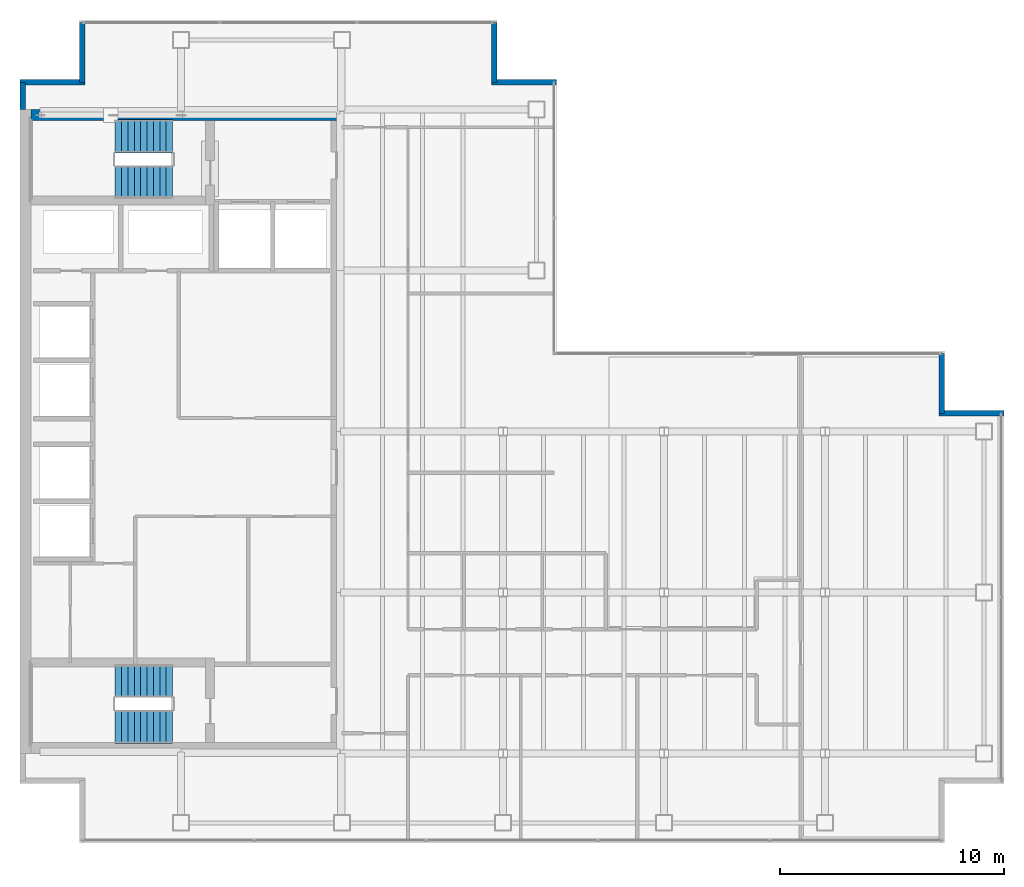
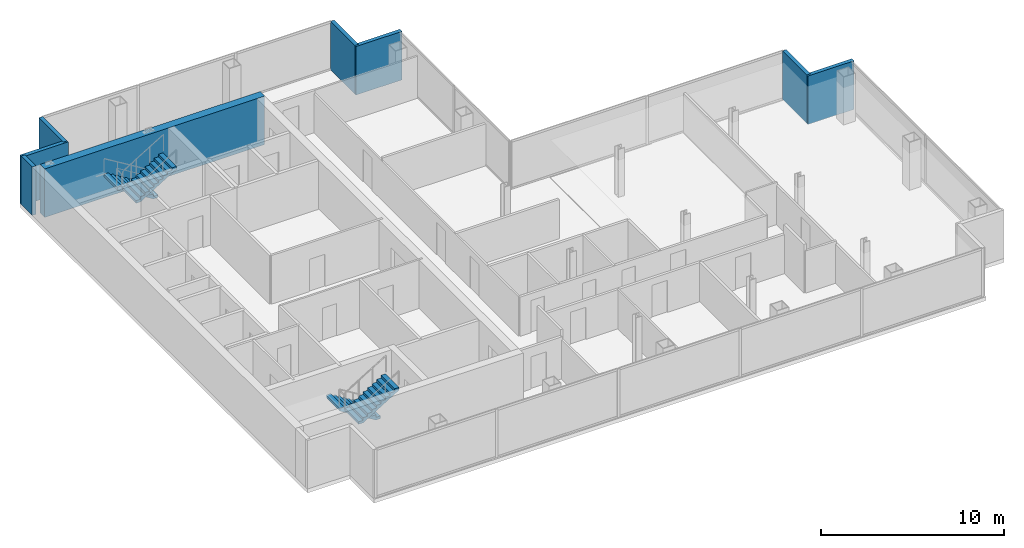
# One storey, part 22 of 23: 8 walls, 4 stair flights, 2 elements without a shape of their own.
"""IFC4 building model written with IfcOpenShell, lengths in metres."""

import ifcopenshell
import ifcopenshell.guid

model = None  # the IFC model being written
_history = None  # IfcOwnerHistory: only IFC2X3 demands one
_inside = {}  # id of a spatial element -> (the spatial element, [elements in it])
_under = {}  # id of a project, library or spatial element -> (it, [spatial elements below it])
_declared = {}  # id of a project -> (the project, [libraries it declares])
_typed = {}  # id of a type object -> (the type object, [elements of that type])
_made_of = {}  # id of a material, layer set ... -> (it, [elements and type objects made of it])


def new_model(schema):
    """Start an empty IFC model of exactly this schema.

    Asked for "IFC4X3", IfcOpenShell would pick the latest addendum, in which some entities
    have other attributes; the version numbers below select the first issue.
    IFC2X3 requires an IfcOwnerHistory on every rooted entity: one is made here for all.
    """
    global model, _history
    if schema == "IFC4X3":
        model = ifcopenshell.file(schema_version=(4, 3, 0, 0))
    else:
        model = ifcopenshell.file(schema=schema)
    _inside.clear()
    _under.clear()
    _declared.clear()
    _typed.clear()
    _made_of.clear()
    _history = None
    if model.schema == "IFC2X3":
        org = make("IfcOrganization", Name="unknown")
        user = make(
            "IfcPersonAndOrganization",
            ThePerson=make("IfcPerson", FamilyName="unknown"),
            TheOrganization=org,
        )
        app = make(
            "IfcApplication",
            ApplicationDeveloper=org,
            Version="unknown",
            ApplicationFullName="unknown",
            ApplicationIdentifier="unknown",
        )
        _history = make(
            "IfcOwnerHistory",
            OwningUser=user,
            OwningApplication=app,
            ChangeAction="ADDED",
            CreationDate=0,
        )
    return model


def make(cls, **values):
    """One entity of the class cls with the attributes given. An attribute that is None is left unset."""
    return model.create_entity(
        cls, **{name: value for name, value in values.items() if value is not None}
    )


def rooted(cls, **values):
    """An entity with a GlobalId (a new one), such as an element, a storey or a relation."""
    return make(cls, GlobalId=ifcopenshell.guid.new(), OwnerHistory=_history, **values)


def si_unit(unit_type, name, prefix=None):
    """IfcSIUnit, for example si_unit("LENGTHUNIT", "METRE", prefix="MILLI")."""
    return make("IfcSIUnit", UnitType=unit_type, Prefix=prefix, Name=name)


def assignment(units):
    """IfcUnitAssignment: the units of a project."""
    return None if units is None else make("IfcUnitAssignment", Units=units)


def point(xyz):
    """IfcCartesianPoint."""
    return None if xyz is None else make("IfcCartesianPoint", Coordinates=xyz)


def direction(xyz):
    """IfcDirection."""
    return None if xyz is None else make("IfcDirection", DirectionRatios=xyz)


def frame(location, z_axis=None, x_axis=None):
    """IfcAxis2Placement3D, a coordinate frame: its origin and axes. An axis left out is left unset."""
    return make(
        "IfcAxis2Placement3D",
        Location=point(location),
        Axis=direction(z_axis),
        RefDirection=direction(x_axis),
    )


def frame_2d(location, x_axis=None):
    """IfcAxis2Placement2D, a coordinate frame in the plane: its origin and x axis."""
    return make(
        "IfcAxis2Placement2D", Location=point(location), RefDirection=direction(x_axis)
    )


def origin():
    """The frame at (0, 0, 0) with its axes left unset."""
    return frame((0.0, 0.0, 0.0))


def place(relative_to, where):
    """IfcLocalPlacement: puts the frame where relative to a parent placement (None: the world)."""
    return make(
        "IfcLocalPlacement", PlacementRelTo=relative_to, RelativePlacement=where
    )


def context(
    kind, dimensions, precision=None, world=None, true_north=None, identifier=None
):
    """IfcGeometricRepresentationContext, for example the 3D "Model" context."""
    return make(
        "IfcGeometricRepresentationContext",
        ContextIdentifier=identifier,
        ContextType=kind,
        CoordinateSpaceDimension=dimensions,
        Precision=precision,
        WorldCoordinateSystem=world,
        TrueNorth=true_north,
    )


def subcontext(parent, identifier, kind, view, scale=None):
    """IfcGeometricRepresentationSubContext, for example "Body" below "Model"."""
    return make(
        "IfcGeometricRepresentationSubContext",
        ContextIdentifier=identifier,
        ContextType=kind,
        ParentContext=parent,
        TargetScale=scale,
        TargetView=view,
    )


def project(units=None, contexts=None):
    """IfcProject with its units and contexts."""
    return rooted(
        "IfcProject",
        Name="project",
        RepresentationContexts=contexts,
        UnitsInContext=assignment(units),
    )


def spatial(cls, under=None, at=None, **own):
    """A site, building, storey or space (cls), placed at a placement, below another one or the project."""
    s = rooted(cls, ObjectPlacement=at, **own)
    if under is not None:
        _under.setdefault(under.id(), (under, []))[1].append(s)
    return s


def polyline(points):
    """IfcPolyline through the points."""
    return make("IfcPolyline", Points=[point(p) for p in points])


def profile(cls, at=None, kind="AREA", **sizes):
    """A parametric profile (cls). Its sizes go by their IFC names, for example OverallWidth=200.0."""
    return make(cls, ProfileType=kind, Position=at, **sizes)


def rectangle(**sizes):
    """IfcRectangleProfileDef."""
    return profile("IfcRectangleProfileDef", **sizes)


def outline(outer, holes=None, kind="AREA"):
    """IfcArbitraryClosedProfileDef: a profile drawn as a closed curve; with holes, ...WithVoids."""
    if holes is None:
        return make("IfcArbitraryClosedProfileDef", ProfileType=kind, OuterCurve=outer)
    return make(
        "IfcArbitraryProfileDefWithVoids",
        ProfileType=kind,
        OuterCurve=outer,
        InnerCurves=holes,
    )


def extrude(swept, where, along, depth):
    """IfcExtrudedAreaSolid: the profile swept, set in the frame where, extruded along a direction by depth."""
    return make(
        "IfcExtrudedAreaSolid",
        SweptArea=swept,
        Position=where,
        ExtrudedDirection=direction(along),
        Depth=depth,
    )


def shape(context_of_items, identifier, shape_type, items):
    """IfcShapeRepresentation: the items that make up one representation, for example the "Body"."""
    return make(
        "IfcShapeRepresentation",
        ContextOfItems=context_of_items,
        RepresentationIdentifier=identifier,
        RepresentationType=shape_type,
        Items=items,
    )


def material(Name=None, Category=None):
    """IfcMaterial."""
    return make("IfcMaterial", Name=Name, Category=Category)


def layer(
    of_material, thickness, ventilated=None, Name=None, Category=None, Priority=None
):
    """IfcMaterialLayer: one layer of a wall or slab, of a material (None: an air gap)."""
    return make(
        "IfcMaterialLayer",
        Material=of_material,
        LayerThickness=thickness,
        IsVentilated=ventilated,
        Name=Name,
        Category=Category,
        Priority=Priority,
    )


def layer_set(layers, Name=None):
    """IfcMaterialLayerSet."""
    return make("IfcMaterialLayerSet", MaterialLayers=layers, LayerSetName=Name)


def made_of(thing, what):
    """Note that an element or type object is made of a material, layer set ...; save() writes the relation."""
    if what is not None:
        _made_of.setdefault(what.id(), (what, []))[1].append(thing)
    return thing


def type_object(cls, material=None, **own):
    """A type object (cls), such as IfcWallType, which elements share."""
    return made_of(rooted(cls, **own), material)


def element(
    cls,
    number,
    at=None,
    inside=None,
    cuts=None,
    type_object=None,
    material=None,
    context=None,
    identifier="Body",
    shape_type=None,
    held_by="IfcProductDefinitionShape",
    body=None,
    shapes=None,
    **own,
):
    """One element of the class cls, such as IfcWall. Its Tag is "e" and its number.

    at: its placement. inside: the storey or other place that contains it. cuts: it is an
    opening in that element (IfcRelVoidsElement). A single representation is given by context,
    identifier, shape_type and body (its items); several are given by shapes. held_by: the class
    of the entity that holds the representations. save() writes the other relations.
    """
    e = rooted(cls, Tag="e%d" % number, ObjectPlacement=at, **own)
    if body is not None:
        shapes = [shape(context, identifier, shape_type, body)]
    if shapes is not None:
        e.Representation = make(held_by, Representations=shapes)
    if inside is not None:
        _inside.setdefault(inside.id(), (inside, []))[1].append(e)
    if cuts is not None:
        rooted(
            "IfcRelVoidsElement", RelatingBuildingElement=cuts, RelatedOpeningElement=e
        )
    if type_object is not None:
        _typed.setdefault(type_object.id(), (type_object, []))[1].append(e)
    return made_of(e, material)


def aggregate(whole, parts):
    """IfcRelAggregates: a whole, such as a stair, and the parts it consists of."""
    return rooted("IfcRelAggregates", RelatingObject=whole, RelatedObjects=parts)


def save(model, path):
    """Write the relations noted so far, then the file.

    IfcRelAggregates (storeys below a building ...), IfcRelContainedInSpatialStructure (elements
    in a storey), IfcRelDefinesByType, IfcRelAssociatesMaterial and IfcRelDeclares: one each for
    every whole, place, type object, material and project.
    """
    for whole, parts in _under.values():
        aggregate(whole, parts)
    for where, things in _inside.values():
        rooted(
            "IfcRelContainedInSpatialStructure",
            RelatedElements=things,
            RelatingStructure=where,
        )
    for kind, things in _typed.values():
        rooted("IfcRelDefinesByType", RelatedObjects=things, RelatingType=kind)
    for what, things in _made_of.values():
        rooted("IfcRelAssociatesMaterial", RelatedObjects=things, RelatingMaterial=what)
    for by, libraries in _declared.values():
        rooted("IfcRelDeclares", RelatingContext=by, RelatedDefinitions=libraries)
    model.write(path)


model = new_model("IFC4")

# Units and contexts
model_context = context("Model", 3, precision=1e-05, world=origin(), true_north=direction((0.0, 1.0)))
body_context = subcontext(model_context, "Body", "Model", "MODEL_VIEW")
ifc_project = project(units=[si_unit("LENGTHUNIT", "METRE"), si_unit("AREAUNIT", "SQUARE_METRE"), si_unit("VOLUMEUNIT", "CUBIC_METRE"), si_unit("PLANEANGLEUNIT", "RADIAN"), si_unit("MASSUNIT", "GRAM", prefix="KILO")], contexts=[model_context])

# Site, building, storey
site_placement = place(None, origin())
site = spatial("IfcSite", under=ifc_project, at=site_placement, CompositionType="ELEMENT")
building_placement = place(site_placement, origin())
building = spatial("IfcBuilding", under=site, at=building_placement, Name="Cobrela Telecom Tower", CompositionType="ELEMENT")
storey_placement = place(building_placement, frame((0.0, 0.0, 218.75)))
storey = spatial("IfcBuildingStorey", under=building, at=storey_placement, Name="L56", CompositionType="ELEMENT", Elevation=218.75)

# Walls
ifc_material = material(Name="Concrete C40/50", Category="concrete")
ifc_layer_1 = layer(ifc_material, 0.5)
ifc_layer_set_1 = layer_set([ifc_layer_1], Name="Concrete C40/50")
wall_type_1 = type_object("IfcWallType", Name="WALL-CORE-C40-500", PredefinedType="SHEAR", material=ifc_layer_set_1)
wall_1_placement = place(storey_placement, frame((0.5, 35.75, 0.0), z_axis=(0.0, 0.0, 1.0), x_axis=(1.0, 0.0, 0.0)))
element("IfcWall", 1, at=wall_1_placement, inside=storey, type_object=wall_type_1, Name="L56 North Core Shear Wall", PredefinedType="SHEAR", context=body_context, shape_type="SweptSolid", body=[
    extrude(rectangle(XDim=13.89990234375, YDim=0.5, at=frame_2d((6.949951171875, 0.0))), origin(), (0.0, 0.0, 1.0), 3.239990234375),
])
ifc_layer_2 = layer(ifc_material, 0.239990234375)
ifc_layer_set_2 = layer_set([ifc_layer_2], Name="Concrete C40/50")
wall_type_2 = type_object("IfcWallType", Name="WALL-EXT-300", PredefinedType="STANDARD", material=ifc_layer_set_2)
wall_2_placement = place(storey_placement, frame((0.1201171875, 36.0, 0.0), z_axis=(0.0, 0.0, 1.0), x_axis=(0.0, 1.0, 0.0)))
element("IfcWall", 2, at=wall_2_placement, inside=storey, type_object=wall_type_2, Name="L56 Insulated Facade Wall 04", PredefinedType="STANDARD", context=body_context, shape_type="SweptSolid", body=[
    extrude(rectangle(XDim=1.2099609375, YDim=0.239990234375, at=frame_2d((0.60498046875, 0.0))), origin(), (0.0, 0.0, 1.0), 3.239990234375),
])
wall_3_placement = place(storey_placement, frame((0.0, 37.2099609375, 0.0), z_axis=(0.0, 0.0, 1.0), x_axis=(1.0, 0.0, 0.0)))
element("IfcWall", 3, at=wall_3_placement, inside=storey, type_object=wall_type_2, Name="L56 Insulated Facade Wall 05", PredefinedType="STANDARD", context=body_context, shape_type="SweptSolid", body=[
    extrude(rectangle(XDim=2.909912109375, YDim=0.239990234375, at=frame_2d((1.455078125, 0.0))), origin(), (0.0, 0.0, 1.0), 3.239990234375),
])
for number, where, z_axis, x_axis, name in (
    (4, (2.7900390625, 37.2099609375, 0.0), (0.0, 0.0, 1.0), (0.0, 1.0, 0.0), "L56 Insulated Facade Wall 06"),
    (5, (21.2099609375, 39.8798828125, 0.0), (0.0, 0.0, 1.0), (0.0, -1.0, 0.0), "L56 Insulated Facade Wall 08"),
):
    element("IfcWall", number, at=place(storey_placement, frame(where, z_axis=z_axis, x_axis=x_axis)), inside=storey, type_object=wall_type_2, Name=name, PredefinedType="STANDARD", context=body_context, shape_type="SweptSolid", body=[
        extrude(rectangle(XDim=2.669921875, YDim=0.239990234375, at=frame_2d((1.3349609375, 0.0))), origin(), (0.0, 0.0, 1.0), 3.239990234375),
    ])
wall_4_placement = place(storey_placement, frame((21.090087890625, 37.2099609375, 0.0), z_axis=(0.0, 0.0, 1.0), x_axis=(1.0, 0.0, 0.0)))
element("IfcWall", 6, at=wall_4_placement, inside=storey, type_object=wall_type_2, Name="L56 Insulated Facade Wall 09", PredefinedType="STANDARD", context=body_context, shape_type="SweptSolid", body=[
    extrude(rectangle(XDim=2.909912109375, YDim=0.239990234375, at=frame_2d((1.455078125, 0.0))), origin(), (0.0, 0.0, 1.0), 3.239990234375),
])
wall_5_placement = place(storey_placement, frame((41.2099609375, 25.080078125, 0.0), z_axis=(0.0, 0.0, 1.0), x_axis=(0.0, -1.0, 0.0)))
element("IfcWall", 7, at=wall_5_placement, inside=storey, type_object=wall_type_2, Name="L56 Insulated Facade Wall 12", PredefinedType="STANDARD", context=body_context, shape_type="SweptSolid", body=[
    extrude(rectangle(XDim=2.670166015625, YDim=0.239990234375, at=frame_2d((1.3349609375, 0.0))), origin(), (0.0, 0.0, 1.0), 3.239990234375),
])
wall_6_placement = place(storey_placement, frame((41.090087890625, 22.409912109375, 0.0), z_axis=(0.0, 0.0, 1.0), x_axis=(1.0, 0.0, 0.0)))
element("IfcWall", 8, at=wall_6_placement, inside=storey, type_object=wall_type_2, Name="L56 Insulated Facade Wall 13", PredefinedType="STANDARD", context=body_context, shape_type="SweptSolid", body=[
    extrude(rectangle(XDim=2.909912109375, YDim=0.239990234375, at=frame_2d((1.455078125, 0.0))), origin(), (0.0, 0.0, 1.0), 3.239990234375),
])

# Stair, stair flights
stair_type = type_object("IfcStairType", Name="STAIR-CORE", PredefinedType="HALF_TURN_STAIR", material=ifc_material)
stair_1_placement = place(storey_placement, origin())
stair_1 = element("IfcStair", 9, at=stair_1_placement, inside=storey, type_object=stair_type, Name="L56 Smokeproof Exit Stair ST1", PredefinedType="HALF_TURN_STAIR")
stair_flight_type = type_object("IfcStairFlightType", Name="FLIGHT-CORE", PredefinedType="STRAIGHT", material=ifc_material)
stair_flight_1_placement = place(storey_placement, frame((6.820068359375, 34.800048828125, 0.0), z_axis=(0.0, 0.0, 1.0), x_axis=(-1.0, 0.0, 0.0)))
stair_flight_1 = element("IfcStairFlight", 10, at=stair_flight_1_placement, type_object=stair_flight_type, Name="ST1 flight 1", NumberOfRisers=10, NumberOfTreads=9, PredefinedType="STRAIGHT", RiserHeight=0.175, TreadLength=0.285, context=body_context, shape_type="SweptSolid", body=[
    extrude(outline(polyline([(0.0, 0.0), (0.0, 0.175048828125), (0.284912109375, 0.175048828125), (0.284912109375, 0.35009765625), (0.570068359375, 0.35009765625), (0.570068359375, 0.52490234375), (0.85498046875, 0.52490234375), (0.85498046875, 0.699951171875), (1.139892578125, 0.699951171875), (1.139892578125, 0.875), (1.425048828125, 0.875), (1.425048828125, 1.050048828125), (1.7099609375, 1.050048828125), (1.7099609375, 1.22509765625), (1.9951171875, 1.22509765625), (1.9951171875, 1.39990234375), (2.280029296875, 1.39990234375), (2.280029296875, 1.574951171875), (2.56494140625, 1.574951171875), (2.56494140625, 1.75), (2.56494140625, 1.399169921875), (0.286376953125, 0.0), (0.0, 0.0)])), frame((0.0, 0.75, 0.0), z_axis=(0.0, -1.0, 0.0), x_axis=(1.0, 0.0, 0.0)), (0.0, 0.0, 1.0), 1.5),
])
stair_flight_2_placement = place(storey_placement, frame((4.2548828125, 32.75, 1.75), z_axis=(0.0, 0.0, 1.0), x_axis=(1.0, 0.0, 0.0)))
stair_flight_2 = element("IfcStairFlight", 11, at=stair_flight_2_placement, type_object=stair_flight_type, Name="ST1 flight 2", NumberOfRisers=10, NumberOfTreads=9, PredefinedType="STRAIGHT", RiserHeight=0.175, TreadLength=0.285, context=body_context, shape_type="SweptSolid", body=[
    extrude(outline(polyline([(0.0, 0.0), (0.0, 0.175048828125), (0.284912109375, 0.175048828125), (0.284912109375, 0.35009765625), (0.570068359375, 0.35009765625), (0.570068359375, 0.52490234375), (0.85498046875, 0.52490234375), (0.85498046875, 0.699951171875), (1.139892578125, 0.699951171875), (1.139892578125, 0.875), (1.425048828125, 0.875), (1.425048828125, 1.050048828125), (1.7099609375, 1.050048828125), (1.7099609375, 1.22509765625), (1.9951171875, 1.22509765625), (1.9951171875, 1.39990234375), (2.280029296875, 1.39990234375), (2.280029296875, 1.574951171875), (2.56494140625, 1.574951171875), (2.56494140625, 1.75), (2.56494140625, 1.399169921875), (0.286376953125, 0.0), (0.0, 0.0)])), frame((0.0, 0.75, 0.0), z_axis=(0.0, -1.0, 0.0), x_axis=(1.0, 0.0, 0.0)), (0.0, 0.0, 1.0), 1.5),
])
aggregate(stair_1, [stair_flight_1, stair_flight_2])

stair_2_placement = place(storey_placement, origin())
stair_2 = element("IfcStair", 12, at=stair_2_placement, inside=storey, type_object=stair_type, Name="L56 Smokeproof Exit Stair ST2", PredefinedType="HALF_TURN_STAIR")
stair_flight_3_placement = place(storey_placement, frame((6.820068359375, 10.449951171875, 0.0), z_axis=(0.0, 0.0, 1.0), x_axis=(-1.0, 0.0, 0.0)))
stair_flight_3 = element("IfcStairFlight", 13, at=stair_flight_3_placement, type_object=stair_flight_type, Name="ST2 flight 1", NumberOfRisers=10, NumberOfTreads=9, PredefinedType="STRAIGHT", RiserHeight=0.175, TreadLength=0.285, context=body_context, shape_type="SweptSolid", body=[
    extrude(outline(polyline([(0.0, 0.0), (0.0, 0.175048828125), (0.284912109375, 0.175048828125), (0.284912109375, 0.35009765625), (0.570068359375, 0.35009765625), (0.570068359375, 0.52490234375), (0.85498046875, 0.52490234375), (0.85498046875, 0.699951171875), (1.139892578125, 0.699951171875), (1.139892578125, 0.875), (1.425048828125, 0.875), (1.425048828125, 1.050048828125), (1.7099609375, 1.050048828125), (1.7099609375, 1.22509765625), (1.9951171875, 1.22509765625), (1.9951171875, 1.39990234375), (2.280029296875, 1.39990234375), (2.280029296875, 1.574951171875), (2.56494140625, 1.574951171875), (2.56494140625, 1.75), (2.56494140625, 1.399169921875), (0.286376953125, 0.0), (0.0, 0.0)])), frame((0.0, 0.75, 0.0), z_axis=(0.0, -1.0, 0.0), x_axis=(1.0, 0.0, 0.0)), (0.0, 0.0, 1.0), 1.5),
])
stair_flight_4_placement = place(storey_placement, frame((4.2548828125, 8.39990234375, 1.75), z_axis=(0.0, 0.0, 1.0), x_axis=(1.0, 0.0, 0.0)))
stair_flight_4 = element("IfcStairFlight", 14, at=stair_flight_4_placement, type_object=stair_flight_type, Name="ST2 flight 2", NumberOfRisers=10, NumberOfTreads=9, PredefinedType="STRAIGHT", RiserHeight=0.175, TreadLength=0.285, context=body_context, shape_type="SweptSolid", body=[
    extrude(outline(polyline([(0.0, 0.0), (0.0, 0.175048828125), (0.284912109375, 0.175048828125), (0.284912109375, 0.35009765625), (0.570068359375, 0.35009765625), (0.570068359375, 0.52490234375), (0.85498046875, 0.52490234375), (0.85498046875, 0.699951171875), (1.139892578125, 0.699951171875), (1.139892578125, 0.875), (1.425048828125, 0.875), (1.425048828125, 1.050048828125), (1.7099609375, 1.050048828125), (1.7099609375, 1.22509765625), (1.9951171875, 1.22509765625), (1.9951171875, 1.39990234375), (2.280029296875, 1.39990234375), (2.280029296875, 1.574951171875), (2.56494140625, 1.574951171875), (2.56494140625, 1.75), (2.56494140625, 1.399169921875), (0.286376953125, 0.0), (0.0, 0.0)])), frame((0.0, 0.75, 0.0), z_axis=(0.0, -1.0, 0.0), x_axis=(1.0, 0.0, 0.0)), (0.0, 0.0, 1.0), 1.5),
])
aggregate(stair_2, [stair_flight_3, stair_flight_4])

save(model, "model.ifc")
